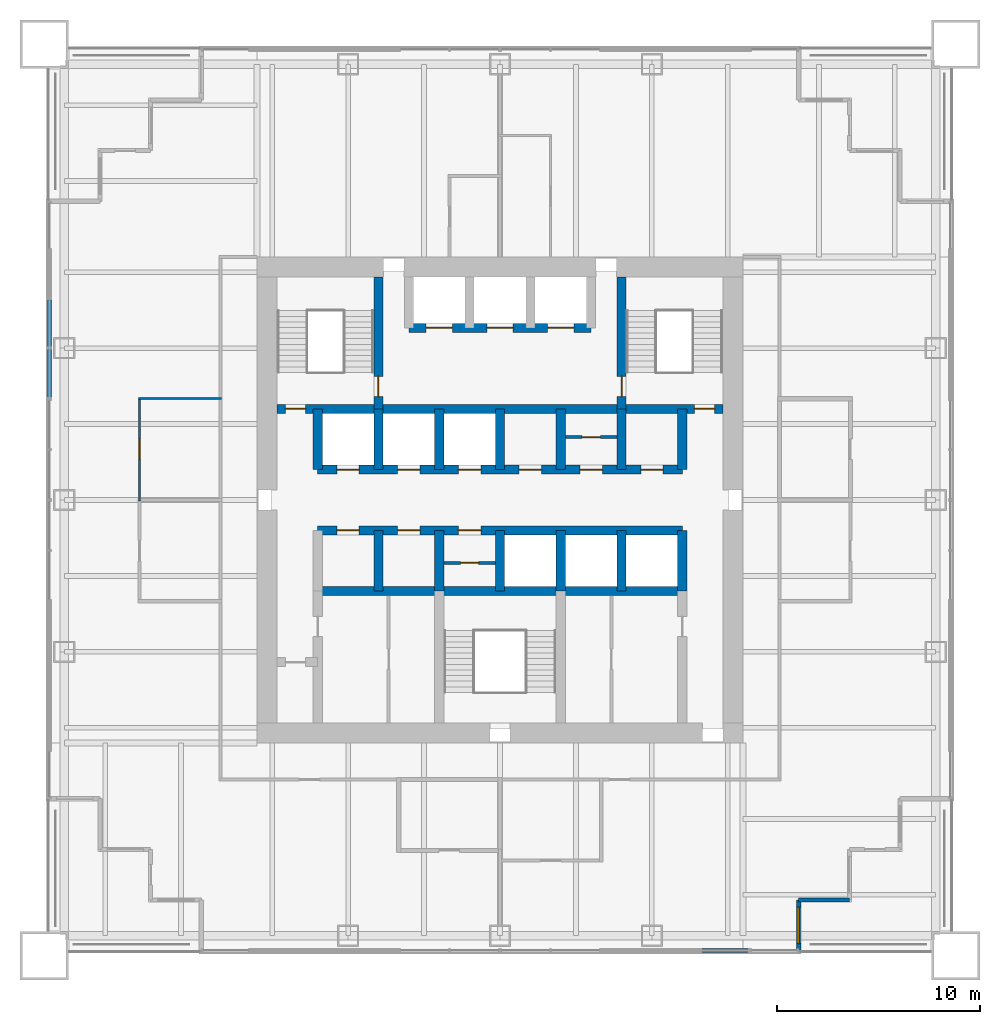
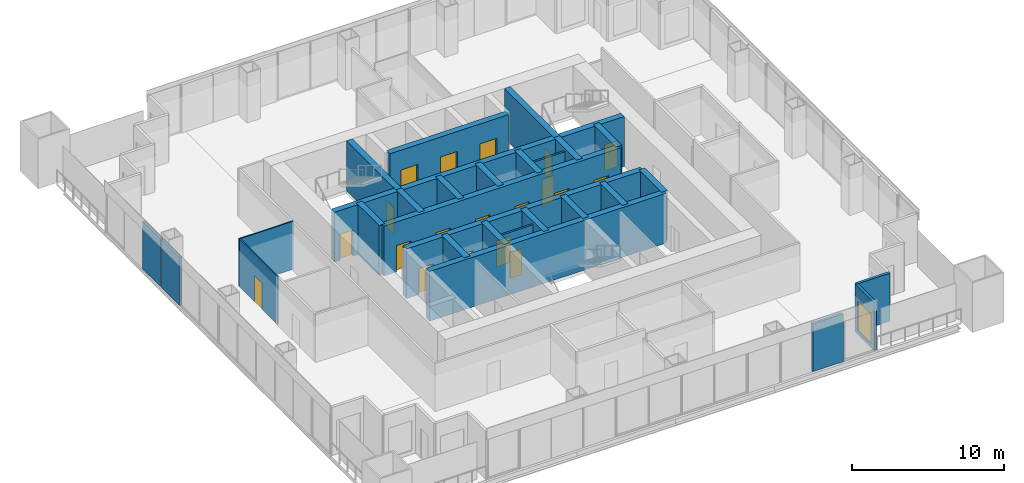
# One storey, part 9 of 13: 29 walls, 19 doors, 1 window, 20 openings.
"""IFC4 building model written with IfcOpenShell, lengths in metres."""

from ifc_helpers import new_model, si_unit, direction, frame, frame_2d, origin, place, context, subcontext, project, spatial, rectangle, extrude, material, layer, layer_set, type_object, element, fill, save


model = new_model("IFC4")

# Units and contexts
model_context = context("Model", 3, precision=1e-05, world=origin(), true_north=direction((0.0, 1.0)))
body_context = subcontext(model_context, "Body", "Model", "MODEL_VIEW")
ifc_project = project(units=[si_unit("LENGTHUNIT", "METRE"), si_unit("AREAUNIT", "SQUARE_METRE"), si_unit("VOLUMEUNIT", "CUBIC_METRE"), si_unit("PLANEANGLEUNIT", "RADIAN"), si_unit("MASSUNIT", "GRAM", prefix="KILO")], contexts=[model_context])

# Site, building, storey
site_placement = place(None, origin())
site = spatial("IfcSite", under=ifc_project, at=site_placement, CompositionType="ELEMENT")
building_placement = place(site_placement, origin())
building = spatial("IfcBuilding", under=site, at=building_placement, Name="Tarangal Relay Tower", CompositionType="ELEMENT")
storey_placement = place(building_placement, frame((0.0, 0.0, 225.89990234375)))
storey = spatial("IfcBuildingStorey", under=building, at=storey_placement, Name="L48", CompositionType="ELEMENT", Elevation=225.89990234375)

# Wall, openings, doors
ifc_material_1 = material(Name="Concrete fc' 60 MPa", Category="concrete")
ifc_layer_1 = layer(ifc_material_1, 0.449951171875)
ifc_layer_set_1 = layer_set([ifc_layer_1], Name="Core inner wall 450")
wall_type_1 = type_object("IfcWallType", Name="Core inner wall 450", PredefinedType="SHEAR", material=ifc_layer_set_1)
wall_1_placement = place(storey_placement, frame((-11.0, 4.5, 0.0), z_axis=(0.0, 0.0, 1.0), x_axis=(1.0, 0.0, 0.0)))
wall_1 = element("IfcWall", 1, at=wall_1_placement, inside=storey, type_object=wall_type_1, Name="Core wall Y45 L48", PredefinedType="SHEAR", context=body_context, shape_type="SweptSolid", body=[
    extrude(rectangle(XDim=22.0, YDim=0.449951171875, at=frame_2d((11.0, 0.0))), origin(), (0.0, 0.0, 1.0), 4.0),
])
opening_1_placement = place(wall_1_placement, frame((0.39990234375, 0.0, 0.0)))
opening_1 = element("IfcOpeningElement", 2, at=opening_1_placement, cuts=wall_1, Name="Opening FD1", PredefinedType="OPENING", context=body_context, shape_type="SweptSolid", body=[
    extrude(rectangle(XDim=1.0, YDim=2.10009765625, at=frame_2d((0.5, 1.050048828125))), frame((0.0, 0.23486328125, 0.0), z_axis=(0.0, -1.0, 0.0), x_axis=(1.0, 0.0, 0.0)), (0.0, 0.0, 1.0), 0.469970703125),
])
opening_2_placement = place(wall_1_placement, frame((20.60009765625, 0.0, 0.0)))
opening_2 = element("IfcOpeningElement", 3, at=opening_2_placement, cuts=wall_1, Name="Opening FD1", PredefinedType="OPENING", context=body_context, shape_type="SweptSolid", body=[
    extrude(rectangle(XDim=1.0, YDim=2.10009765625, at=frame_2d((0.5, 1.050048828125))), frame((0.0, 0.23486328125, 0.0), z_axis=(0.0, -1.0, 0.0), x_axis=(1.0, 0.0, 0.0)), (0.0, 0.0, 1.0), 0.469970703125),
])
ifc_material_2 = material(Name="Steel door with hardwood frame", Category="steel")
door_type_1 = type_object("IfcDoorType", Name="Fire door 1000 x 2100", OperationType="SINGLE_SWING_LEFT", PredefinedType="DOOR", material=ifc_material_2)
door_1_placement = place(opening_1_placement, origin())
door_1 = element("IfcDoor", 4, at=door_1_placement, inside=storey, type_object=door_type_1, Name="Stair ST-A door from corridor L48", OperationType="SINGLE_SWING_LEFT", OverallHeight=2.10009765625, OverallWidth=1.0, PredefinedType="DOOR", context=body_context, shape_type="SweptSolid", body=[
    extrude(rectangle(XDim=1.0, YDim=2.10009765625, at=frame_2d((0.5, 1.050048828125))), frame((0.0, 0.02490234375, 0.0), z_axis=(0.0, -1.0, 0.0), x_axis=(1.0, 0.0, 0.0)), (0.0, 0.0, 1.0), 0.050048828125),
])
fill(opening_1, door_1)
door_2_placement = place(opening_2_placement, origin())
door_2 = element("IfcDoor", 5, at=door_2_placement, inside=storey, type_object=door_type_1, Name="Stair ST-B door from corridor L48", OperationType="SINGLE_SWING_LEFT", OverallHeight=2.10009765625, OverallWidth=1.0, PredefinedType="DOOR", context=body_context, shape_type="SweptSolid", body=[
    extrude(rectangle(XDim=1.0, YDim=2.10009765625, at=frame_2d((0.5, 1.050048828125))), frame((0.0, 0.02490234375, 0.0), z_axis=(0.0, -1.0, 0.0), x_axis=(1.0, 0.0, 0.0)), (0.0, 0.0, 1.0), 0.050048828125),
])
fill(opening_2, door_2)

wall_2_placement = place(storey_placement, frame((-9.0, 1.5, 0.0), z_axis=(0.0, 0.0, 1.0), x_axis=(1.0, 0.0, 0.0)))
wall_2 = element("IfcWall", 6, at=wall_2_placement, inside=storey, type_object=wall_type_1, Name="Core wall Y15 L48", PredefinedType="SHEAR", context=body_context, shape_type="SweptSolid", body=[
    extrude(rectangle(XDim=18.0, YDim=0.449951171875, at=frame_2d((9.0, 0.0))), origin(), (0.0, 0.0, 1.0), 4.0),
])
opening_3_placement = place(wall_2_placement, frame((0.949951171875, 0.0, 0.0)))
opening_3 = element("IfcOpeningElement", 7, at=opening_3_placement, cuts=wall_2, Name="Opening LD1", PredefinedType="OPENING", context=body_context, shape_type="SweptSolid", body=[
    extrude(rectangle(XDim=1.10009765625, YDim=2.10009765625, at=frame_2d((0.550048828125, 1.050048828125))), frame((0.0, 0.23486328125, 0.0), z_axis=(0.0, -1.0, 0.0), x_axis=(1.0, 0.0, 0.0)), (0.0, 0.0, 1.0), 0.469970703125),
])
opening_4_placement = place(wall_2_placement, frame((3.949951171875, 0.0, 0.0)))
opening_4 = element("IfcOpeningElement", 8, at=opening_4_placement, cuts=wall_2, Name="Opening LD1", PredefinedType="OPENING", context=body_context, shape_type="SweptSolid", body=[
    extrude(rectangle(XDim=1.10009765625, YDim=2.10009765625, at=frame_2d((0.550048828125, 1.050048828125))), frame((0.0, 0.23486328125, 0.0), z_axis=(0.0, -1.0, 0.0), x_axis=(1.0, 0.0, 0.0)), (0.0, 0.0, 1.0), 0.469970703125),
])
opening_5_placement = place(wall_2_placement, frame((6.949951171875, 0.0, 0.0)))
opening_5 = element("IfcOpeningElement", 9, at=opening_5_placement, cuts=wall_2, Name="Opening LD1", PredefinedType="OPENING", context=body_context, shape_type="SweptSolid", body=[
    extrude(rectangle(XDim=1.10009765625, YDim=2.10009765625, at=frame_2d((0.550048828125, 1.050048828125))), frame((0.0, 0.23486328125, 0.0), z_axis=(0.0, -1.0, 0.0), x_axis=(1.0, 0.0, 0.0)), (0.0, 0.0, 1.0), 0.469970703125),
])
opening_6_placement = place(wall_2_placement, frame((9.949951171875, 0.0, 0.0)))
opening_6 = element("IfcOpeningElement", 10, at=opening_6_placement, cuts=wall_2, Name="Opening D4", PredefinedType="OPENING", context=body_context, shape_type="SweptSolid", body=[
    extrude(rectangle(XDim=1.10009765625, YDim=2.10009765625, at=frame_2d((0.550048828125, 1.050048828125))), frame((0.0, 0.23486328125, 0.0), z_axis=(0.0, -1.0, 0.0), x_axis=(1.0, 0.0, 0.0)), (0.0, 0.0, 1.0), 0.469970703125),
])
opening_7_placement = place(wall_2_placement, frame((12.949951171875, 0.0, 0.0)))
opening_7 = element("IfcOpeningElement", 11, at=opening_7_placement, cuts=wall_2, Name="Opening D4", PredefinedType="OPENING", context=body_context, shape_type="SweptSolid", body=[
    extrude(rectangle(XDim=1.10009765625, YDim=2.10009765625, at=frame_2d((0.550048828125, 1.050048828125))), frame((0.0, 0.23486328125, 0.0), z_axis=(0.0, -1.0, 0.0), x_axis=(1.0, 0.0, 0.0)), (0.0, 0.0, 1.0), 0.469970703125),
])
opening_8_placement = place(wall_2_placement, frame((15.949951171875, 0.0, 0.0)))
opening_8 = element("IfcOpeningElement", 12, at=opening_8_placement, cuts=wall_2, Name="Opening D4", PredefinedType="OPENING", context=body_context, shape_type="SweptSolid", body=[
    extrude(rectangle(XDim=1.10009765625, YDim=2.10009765625, at=frame_2d((0.550048828125, 1.050048828125))), frame((0.0, 0.23486328125, 0.0), z_axis=(0.0, -1.0, 0.0), x_axis=(1.0, 0.0, 0.0)), (0.0, 0.0, 1.0), 0.469970703125),
])
door_type_2 = type_object("IfcDoorType", Name="Core room door 1100 x 2100", OperationType="SINGLE_SWING_RIGHT", PredefinedType="DOOR", material=ifc_material_2)
door_3_placement = place(opening_6_placement, origin())
door_3 = element("IfcDoor", 13, at=door_3_placement, inside=storey, type_object=door_type_2, Name="Door D4 to staff wc L48-T1", OperationType="SINGLE_SWING_RIGHT", OverallHeight=2.10009765625, OverallWidth=1.10009765625, PredefinedType="DOOR", context=body_context, shape_type="SweptSolid", body=[
    extrude(rectangle(XDim=1.10009765625, YDim=2.10009765625, at=frame_2d((0.550048828125, 1.050048828125))), frame((0.0, 0.02490234375, 0.0), z_axis=(0.0, -1.0, 0.0), x_axis=(1.0, 0.0, 0.0)), (0.0, 0.0, 1.0), 0.050048828125),
])
fill(opening_6, door_3)
door_4_placement = place(opening_7_placement, origin())
door_4 = element("IfcDoor", 14, at=door_4_placement, inside=storey, type_object=door_type_2, Name="Door D4 to staff pantry L48-T2", OperationType="SINGLE_SWING_RIGHT", OverallHeight=2.10009765625, OverallWidth=1.10009765625, PredefinedType="DOOR", context=body_context, shape_type="SweptSolid", body=[
    extrude(rectangle(XDim=1.10009765625, YDim=2.10009765625, at=frame_2d((0.550048828125, 1.050048828125))), frame((0.0, 0.02490234375, 0.0), z_axis=(0.0, -1.0, 0.0), x_axis=(1.0, 0.0, 0.0)), (0.0, 0.0, 1.0), 0.050048828125),
])
fill(opening_7, door_4)
door_5_placement = place(opening_8_placement, origin())
door_5 = element("IfcDoor", 15, at=door_5_placement, inside=storey, type_object=door_type_2, Name="Door D4 to it room L48-T3", OperationType="SINGLE_SWING_RIGHT", OverallHeight=2.10009765625, OverallWidth=1.10009765625, PredefinedType="DOOR", context=body_context, shape_type="SweptSolid", body=[
    extrude(rectangle(XDim=1.10009765625, YDim=2.10009765625, at=frame_2d((0.550048828125, 1.050048828125))), frame((0.0, 0.02490234375, 0.0), z_axis=(0.0, -1.0, 0.0), x_axis=(1.0, 0.0, 0.0)), (0.0, 0.0, 1.0), 0.050048828125),
])
fill(opening_8, door_5)
door_type_3 = type_object("IfcDoorType", Name="Lift landing door 1100 x 2100", OperationType="SLIDING_TO_LEFT", PredefinedType="DOOR", material=ifc_material_2)
door_6_placement = place(opening_3_placement, origin())
door_6 = element("IfcDoor", 16, at=door_6_placement, inside=storey, type_object=door_type_3, Name="Lift OL1 landing door L48", OperationType="SLIDING_TO_LEFT", OverallHeight=2.10009765625, OverallWidth=1.10009765625, PredefinedType="DOOR", context=body_context, shape_type="SweptSolid", body=[
    extrude(rectangle(XDim=1.10009765625, YDim=2.10009765625, at=frame_2d((0.550048828125, 1.050048828125))), frame((0.0, 0.02490234375, 0.0), z_axis=(0.0, -1.0, 0.0), x_axis=(1.0, 0.0, 0.0)), (0.0, 0.0, 1.0), 0.050048828125),
])
fill(opening_3, door_6)
door_7_placement = place(opening_4_placement, origin())
door_7 = element("IfcDoor", 17, at=door_7_placement, inside=storey, type_object=door_type_3, Name="Lift OL2 landing door L48", OperationType="SLIDING_TO_LEFT", OverallHeight=2.10009765625, OverallWidth=1.10009765625, PredefinedType="DOOR", context=body_context, shape_type="SweptSolid", body=[
    extrude(rectangle(XDim=1.10009765625, YDim=2.10009765625, at=frame_2d((0.550048828125, 1.050048828125))), frame((0.0, 0.02490234375, 0.0), z_axis=(0.0, -1.0, 0.0), x_axis=(1.0, 0.0, 0.0)), (0.0, 0.0, 1.0), 0.050048828125),
])
fill(opening_4, door_7)
door_8_placement = place(opening_5_placement, origin())
door_8 = element("IfcDoor", 18, at=door_8_placement, inside=storey, type_object=door_type_3, Name="Lift OL3 landing door L48", OperationType="SLIDING_TO_LEFT", OverallHeight=2.10009765625, OverallWidth=1.10009765625, PredefinedType="DOOR", context=body_context, shape_type="SweptSolid", body=[
    extrude(rectangle(XDim=1.10009765625, YDim=2.10009765625, at=frame_2d((0.550048828125, 1.050048828125))), frame((0.0, 0.02490234375, 0.0), z_axis=(0.0, -1.0, 0.0), x_axis=(1.0, 0.0, 0.0)), (0.0, 0.0, 1.0), 0.050048828125),
])
fill(opening_5, door_8)

wall_3_placement = place(storey_placement, frame((-9.0, -1.5, 0.0), z_axis=(0.0, 0.0, 1.0), x_axis=(1.0, 0.0, 0.0)))
wall_3 = element("IfcWall", 19, at=wall_3_placement, inside=storey, type_object=wall_type_1, Name="Core wall YM15 L48", PredefinedType="SHEAR", context=body_context, shape_type="SweptSolid", body=[
    extrude(rectangle(XDim=18.0, YDim=0.449951171875, at=frame_2d((9.0, 0.0))), origin(), (0.0, 0.0, 1.0), 4.0),
])
opening_9_placement = place(wall_3_placement, frame((0.949951171875, 0.0, 0.0)))
opening_9 = element("IfcOpeningElement", 20, at=opening_9_placement, cuts=wall_3, Name="Opening D4", PredefinedType="OPENING", context=body_context, shape_type="SweptSolid", body=[
    extrude(rectangle(XDim=1.10009765625, YDim=2.10009765625, at=frame_2d((0.550048828125, 1.050048828125))), frame((0.0, 0.23486328125, 0.0), z_axis=(0.0, -1.0, 0.0), x_axis=(1.0, 0.0, 0.0)), (0.0, 0.0, 1.0), 0.469970703125),
])
opening_10_placement = place(wall_3_placement, frame((3.949951171875, 0.0, 0.0)))
opening_10 = element("IfcOpeningElement", 21, at=opening_10_placement, cuts=wall_3, Name="Opening D4", PredefinedType="OPENING", context=body_context, shape_type="SweptSolid", body=[
    extrude(rectangle(XDim=1.10009765625, YDim=2.10009765625, at=frame_2d((0.550048828125, 1.050048828125))), frame((0.0, 0.23486328125, 0.0), z_axis=(0.0, -1.0, 0.0), x_axis=(1.0, 0.0, 0.0)), (0.0, 0.0, 1.0), 0.469970703125),
])
opening_11_placement = place(wall_3_placement, frame((6.949951171875, 0.0, 0.0)))
opening_11 = element("IfcOpeningElement", 22, at=opening_11_placement, cuts=wall_3, Name="Opening D4", PredefinedType="OPENING", context=body_context, shape_type="SweptSolid", body=[
    extrude(rectangle(XDim=1.10009765625, YDim=2.10009765625, at=frame_2d((0.550048828125, 1.050048828125))), frame((0.0, 0.23486328125, 0.0), z_axis=(0.0, -1.0, 0.0), x_axis=(1.0, 0.0, 0.0)), (0.0, 0.0, 1.0), 0.469970703125),
])
door_9_placement = place(opening_9_placement, origin())
door_9 = element("IfcDoor", 23, at=door_9_placement, inside=storey, type_object=door_type_2, Name="Door D4 to cleaner's store L48-S1", OperationType="SINGLE_SWING_RIGHT", OverallHeight=2.10009765625, OverallWidth=1.10009765625, PredefinedType="DOOR", context=body_context, shape_type="SweptSolid", body=[
    extrude(rectangle(XDim=1.10009765625, YDim=2.10009765625, at=frame_2d((0.550048828125, 1.050048828125))), frame((0.0, 0.02490234375, 0.0), z_axis=(0.0, -1.0, 0.0), x_axis=(1.0, 0.0, 0.0)), (0.0, 0.0, 1.0), 0.050048828125),
])
fill(opening_9, door_9)
door_10_placement = place(opening_10_placement, origin())
door_10 = element("IfcDoor", 24, at=door_10_placement, inside=storey, type_object=door_type_2, Name="Door D4 to staff wc L48-S2", OperationType="SINGLE_SWING_RIGHT", OverallHeight=2.10009765625, OverallWidth=1.10009765625, PredefinedType="DOOR", context=body_context, shape_type="SweptSolid", body=[
    extrude(rectangle(XDim=1.10009765625, YDim=2.10009765625, at=frame_2d((0.550048828125, 1.050048828125))), frame((0.0, 0.02490234375, 0.0), z_axis=(0.0, -1.0, 0.0), x_axis=(1.0, 0.0, 0.0)), (0.0, 0.0, 1.0), 0.050048828125),
])
fill(opening_10, door_10)
door_11_placement = place(opening_11_placement, origin())
door_11 = element("IfcDoor", 25, at=door_11_placement, inside=storey, type_object=door_type_2, Name="Door D4 to staff pantry L48-S3", OperationType="SINGLE_SWING_RIGHT", OverallHeight=2.10009765625, OverallWidth=1.10009765625, PredefinedType="DOOR", context=body_context, shape_type="SweptSolid", body=[
    extrude(rectangle(XDim=1.10009765625, YDim=2.10009765625, at=frame_2d((0.550048828125, 1.050048828125))), frame((0.0, 0.02490234375, 0.0), z_axis=(0.0, -1.0, 0.0), x_axis=(1.0, 0.0, 0.0)), (0.0, 0.0, 1.0), 0.050048828125),
])
fill(opening_11, door_11)

# Wall
wall_4_placement = place(storey_placement, frame((-9.0, -4.5, 0.0), z_axis=(0.0, 0.0, 1.0), x_axis=(1.0, 0.0, 0.0)))
element("IfcWall", 26, at=wall_4_placement, inside=storey, type_object=wall_type_1, Name="Core wall YM45 L48", PredefinedType="SHEAR", context=body_context, shape_type="SweptSolid", body=[
    extrude(rectangle(XDim=18.0, YDim=0.449951171875, at=frame_2d((9.0, 0.0))), origin(), (0.0, 0.0, 1.0), 4.0),
])

# Wall, openings, doors
wall_5_placement = place(storey_placement, frame((-4.5, 8.5, 0.0), z_axis=(0.0, 0.0, 1.0), x_axis=(1.0, 0.0, 0.0)))
wall_5 = element("IfcWall", 27, at=wall_5_placement, inside=storey, type_object=wall_type_1, Name="Core wall Y85 L48", PredefinedType="SHEAR", context=body_context, shape_type="SweptSolid", body=[
    extrude(rectangle(XDim=9.0, YDim=0.449951171875, at=frame_2d((4.5, 0.0))), origin(), (0.0, 0.0, 1.0), 4.0),
])
opening_12_placement = place(wall_5_placement, frame((0.85009765625, 0.0, 0.0)))
opening_12 = element("IfcOpeningElement", 28, at=opening_12_placement, cuts=wall_5, Name="Opening LD2", PredefinedType="OPENING", context=body_context, shape_type="SweptSolid", body=[
    extrude(rectangle(XDim=1.300048828125, YDim=2.39990234375, at=frame_2d((0.64990234375, 1.199951171875))), frame((0.0, 0.23486328125, 0.0), z_axis=(0.0, -1.0, 0.0), x_axis=(1.0, 0.0, 0.0)), (0.0, 0.0, 1.0), 0.469970703125),
])
opening_13_placement = place(wall_5_placement, frame((6.85009765625, 0.0, 0.0)))
opening_13 = element("IfcOpeningElement", 29, at=opening_13_placement, cuts=wall_5, Name="Opening LD2", PredefinedType="OPENING", context=body_context, shape_type="SweptSolid", body=[
    extrude(rectangle(XDim=1.300048828125, YDim=2.39990234375, at=frame_2d((0.64990234375, 1.199951171875))), frame((0.0, 0.23486328125, 0.0), z_axis=(0.0, -1.0, 0.0), x_axis=(1.0, 0.0, 0.0)), (0.0, 0.0, 1.0), 0.469970703125),
])
opening_14_placement = place(wall_5_placement, frame((3.85009765625, 0.0, 0.0)))
opening_14 = element("IfcOpeningElement", 30, at=opening_14_placement, cuts=wall_5, Name="Opening LD2", PredefinedType="OPENING", context=body_context, shape_type="SweptSolid", body=[
    extrude(rectangle(XDim=1.300048828125, YDim=2.39990234375, at=frame_2d((0.64990234375, 1.199951171875))), frame((0.0, 0.23486328125, 0.0), z_axis=(0.0, -1.0, 0.0), x_axis=(1.0, 0.0, 0.0)), (0.0, 0.0, 1.0), 0.469970703125),
])
door_type_4 = type_object("IfcDoorType", Name="Lift landing door 1300 x 2400", OperationType="SLIDING_TO_LEFT", PredefinedType="DOOR", material=ifc_material_2)
door_12_placement = place(opening_12_placement, origin())
door_12 = element("IfcDoor", 31, at=door_12_placement, inside=storey, type_object=door_type_4, Name="Lift FF1 landing door L48", OperationType="SLIDING_TO_LEFT", OverallHeight=2.39990234375, OverallWidth=1.300048828125, PredefinedType="DOOR", context=body_context, shape_type="SweptSolid", body=[
    extrude(rectangle(XDim=1.300048828125, YDim=2.39990234375, at=frame_2d((0.64990234375, 1.199951171875))), frame((0.0, 0.02490234375, 0.0), z_axis=(0.0, -1.0, 0.0), x_axis=(1.0, 0.0, 0.0)), (0.0, 0.0, 1.0), 0.050048828125),
])
fill(opening_12, door_12)
door_13_placement = place(opening_13_placement, origin())
door_13 = element("IfcDoor", 32, at=door_13_placement, inside=storey, type_object=door_type_4, Name="Lift FF2 landing door L48", OperationType="SLIDING_TO_LEFT", OverallHeight=2.39990234375, OverallWidth=1.300048828125, PredefinedType="DOOR", context=body_context, shape_type="SweptSolid", body=[
    extrude(rectangle(XDim=1.300048828125, YDim=2.39990234375, at=frame_2d((0.64990234375, 1.199951171875))), frame((0.0, 0.02490234375, 0.0), z_axis=(0.0, -1.0, 0.0), x_axis=(1.0, 0.0, 0.0)), (0.0, 0.0, 1.0), 0.050048828125),
])
fill(opening_13, door_13)
door_14_placement = place(opening_14_placement, origin())
door_14 = element("IfcDoor", 33, at=door_14_placement, inside=storey, type_object=door_type_4, Name="Lift SV1 landing door L48", OperationType="SLIDING_TO_LEFT", OverallHeight=2.39990234375, OverallWidth=1.300048828125, PredefinedType="DOOR", context=body_context, shape_type="SweptSolid", body=[
    extrude(rectangle(XDim=1.300048828125, YDim=2.39990234375, at=frame_2d((0.64990234375, 1.199951171875))), frame((0.0, 0.02490234375, 0.0), z_axis=(0.0, -1.0, 0.0), x_axis=(1.0, 0.0, 0.0)), (0.0, 0.0, 1.0), 0.050048828125),
])
fill(opening_14, door_14)

# Walls
for number, where, z_axis, x_axis, name in (
    (34, (-9.0, 1.5, 0.0), (0.0, 0.0, 1.0), (0.0, 1.0, 0.0), "Core wall XM9N L48"),
    (35, (9.0, 1.5, 0.0), (0.0, 0.0, 1.0), (0.0, 1.0, 0.0), "Core wall X9N L48"),
    (36, (9.0, -4.5, 0.0), (0.0, 0.0, 1.0), (0.0, 1.0, 0.0), "Core wall X9S L48"),
    (37, (-6.0, 1.5, 0.0), (0.0, 0.0, 1.0), (0.0, 1.0, 0.0), "Core wall XM6N L48"),
    (38, (-3.0, 1.5, 0.0), (0.0, 0.0, 1.0), (0.0, 1.0, 0.0), "Core wall XM3N L48"),
    (39, (0.0, 1.5, 0.0), (0.0, 0.0, 1.0), (0.0, 1.0, 0.0), "Core wall X0N L48"),
    (40, (3.0, 1.5, 0.0), (0.0, 0.0, 1.0), (0.0, 1.0, 0.0), "Core wall X3N L48"),
    (41, (6.0, 1.5, 0.0), (0.0, 0.0, 1.0), (0.0, 1.0, 0.0), "Core wall X6N L48"),
    (42, (-6.0, -4.5, 0.0), (0.0, 0.0, 1.0), (0.0, 1.0, 0.0), "Core wall XM6S L48"),
    (43, (-3.0, -4.5, 0.0), (0.0, 0.0, 1.0), (0.0, 1.0, 0.0), "Core wall XM3S L48"),
    (44, (0.0, -4.5, 0.0), (0.0, 0.0, 1.0), (0.0, 1.0, 0.0), "Core wall X0S L48"),
    (45, (3.0, -4.5, 0.0), (0.0, 0.0, 1.0), (0.0, 1.0, 0.0), "Core wall X3S L48"),
    (46, (6.0, -4.5, 0.0), (0.0, 0.0, 1.0), (0.0, 1.0, 0.0), "Core wall X6S L48"),
):
    element("IfcWall", number, at=place(storey_placement, frame(where, z_axis=z_axis, x_axis=x_axis)), inside=storey, type_object=wall_type_1, Name=name, PredefinedType="SHEAR", context=body_context, shape_type="SweptSolid", body=[
        extrude(rectangle(XDim=3.0, YDim=0.449951171875, at=frame_2d((1.5, 0.0))), origin(), (0.0, 0.0, 1.0), 4.0),
    ])

# Wall, opening, door
wall_6_placement = place(storey_placement, frame((-6.0, 4.5, 0.0), z_axis=(0.0, 0.0, 1.0), x_axis=(0.0, 1.0, 0.0)))
wall_6 = element("IfcWall", 47, at=wall_6_placement, inside=storey, type_object=wall_type_1, Name="Core wall XM6 L48", PredefinedType="SHEAR", context=body_context, shape_type="SweptSolid", body=[
    extrude(rectangle(XDim=6.5, YDim=0.449951171875, at=frame_2d((3.25, 0.0))), origin(), (0.0, 0.0, 1.0), 4.0),
])
opening_15_placement = place(wall_6_placement, frame((0.60009765625, 0.0, 0.0)))
opening_15 = element("IfcOpeningElement", 48, at=opening_15_placement, cuts=wall_6, Name="Opening FD1", PredefinedType="OPENING", context=body_context, shape_type="SweptSolid", body=[
    extrude(rectangle(XDim=1.0, YDim=2.10009765625, at=frame_2d((0.5, 1.050048828125))), frame((0.0, 0.23486328125, 0.0), z_axis=(0.0, -1.0, 0.0), x_axis=(1.0, 0.0, 0.0)), (0.0, 0.0, 1.0), 0.469970703125),
])
door_15_placement = place(opening_15_placement, origin())
door_15 = element("IfcDoor", 49, at=door_15_placement, inside=storey, type_object=door_type_1, Name="Stair ST-A door from fire-fighting lobby L48", OperationType="SINGLE_SWING_LEFT", OverallHeight=2.10009765625, OverallWidth=1.0, PredefinedType="DOOR", context=body_context, shape_type="SweptSolid", body=[
    extrude(rectangle(XDim=1.0, YDim=2.10009765625, at=frame_2d((0.5, 1.050048828125))), frame((0.0, 0.02490234375, 0.0), z_axis=(0.0, -1.0, 0.0), x_axis=(1.0, 0.0, 0.0)), (0.0, 0.0, 1.0), 0.050048828125),
])
fill(opening_15, door_15)

wall_7_placement = place(storey_placement, frame((6.0, 4.5, 0.0), z_axis=(0.0, 0.0, 1.0), x_axis=(0.0, 1.0, 0.0)))
wall_7 = element("IfcWall", 50, at=wall_7_placement, inside=storey, type_object=wall_type_1, Name="Core wall X6 L48", PredefinedType="SHEAR", context=body_context, shape_type="SweptSolid", body=[
    extrude(rectangle(XDim=6.5, YDim=0.449951171875, at=frame_2d((3.25, 0.0))), origin(), (0.0, 0.0, 1.0), 4.0),
])
opening_16_placement = place(wall_7_placement, frame((0.60009765625, 0.0, 0.0)))
opening_16 = element("IfcOpeningElement", 51, at=opening_16_placement, cuts=wall_7, Name="Opening FD1", PredefinedType="OPENING", context=body_context, shape_type="SweptSolid", body=[
    extrude(rectangle(XDim=1.0, YDim=2.10009765625, at=frame_2d((0.5, 1.050048828125))), frame((0.0, 0.23486328125, 0.0), z_axis=(0.0, -1.0, 0.0), x_axis=(1.0, 0.0, 0.0)), (0.0, 0.0, 1.0), 0.469970703125),
])
door_16_placement = place(opening_16_placement, origin())
door_16 = element("IfcDoor", 52, at=door_16_placement, inside=storey, type_object=door_type_1, Name="Stair ST-B door from fire-fighting lobby L48", OperationType="SINGLE_SWING_LEFT", OverallHeight=2.10009765625, OverallWidth=1.0, PredefinedType="DOOR", context=body_context, shape_type="SweptSolid", body=[
    extrude(rectangle(XDim=1.0, YDim=2.10009765625, at=frame_2d((0.5, 1.050048828125))), frame((0.0, 0.02490234375, 0.0), z_axis=(0.0, -1.0, 0.0), x_axis=(1.0, 0.0, 0.0)), (0.0, 0.0, 1.0), 0.050048828125),
])
fill(opening_16, door_16)

# Wall
ifc_material_3 = material(Name="Black metal clad insulated wall", Category="steel")
ifc_layer_2 = layer(ifc_material_3, 0.199951171875)
ifc_layer_set_2 = layer_set([ifc_layer_2], Name="Corner wall metal clad 200")
wall_type_2 = type_object("IfcWallType", Name="Corner wall metal clad 200", PredefinedType="SOLIDWALL", material=ifc_layer_set_2)
wall_8_placement = place(storey_placement, frame((17.25, -19.75, 0.0), z_axis=(0.0, 0.0, 1.0), x_axis=(-1.0, 0.0, 0.0)))
element("IfcWall", 53, at=wall_8_placement, inside=storey, type_object=wall_type_2, Name="Facade wall E facade L48", PredefinedType="SOLIDWALL", context=body_context, shape_type="SweptSolid", body=[
    extrude(rectangle(XDim=2.5, YDim=0.199951171875, at=frame_2d((1.25, 0.0))), origin(), (0.0, 0.0, 1.0), 3.85009765625),
])

# Wall, opening, window
wall_9_placement = place(storey_placement, frame((14.75, -19.75, 0.0), z_axis=(0.0, 0.0, 1.0), x_axis=(0.0, -1.0, 0.0)))
wall_9 = element("IfcWall", 54, at=wall_9_placement, inside=storey, type_object=wall_type_2, Name="Facade wall E facade L48", PredefinedType="SOLIDWALL", context=body_context, shape_type="SweptSolid", body=[
    extrude(rectangle(XDim=2.5, YDim=0.199951171875, at=frame_2d((1.25, 0.0))), origin(), (0.0, 0.0, 1.0), 3.85009765625),
])
opening_17_placement = place(wall_9_placement, frame((0.35009765625, 0.0, 0.300048828125)))
opening_17 = element("IfcOpeningElement", 55, at=opening_17_placement, cuts=wall_9, Name="Opening WN2", PredefinedType="OPENING", context=body_context, shape_type="SweptSolid", body=[
    extrude(rectangle(XDim=1.800048828125, YDim=2.39990234375, at=frame_2d((0.89990234375, 1.199951171875))), frame((0.0, 0.10986328125, 0.0), z_axis=(0.0, -1.0, 0.0), x_axis=(1.0, 0.0, 0.0)), (0.0, 0.0, 1.0), 0.219970703125),
])
ifc_material_4 = material(Name="Dark tinted double glazing in black aluminium frame", Category="aluminium")
window_type = type_object("IfcWindowType", Name="Corner window 1800 x 2400", PartitioningType="SINGLE_PANEL", PredefinedType="WINDOW", material=ifc_material_4)
window_placement = place(opening_17_placement, origin())
window = element("IfcWindow", 56, at=window_placement, inside=storey, type_object=window_type, Name="Corner window WN2 E facade L48", OverallHeight=2.39990234375, OverallWidth=1.800048828125, PartitioningType="SINGLE_PANEL", PredefinedType="WINDOW", context=body_context, shape_type="SweptSolid", body=[
    extrude(rectangle(XDim=1.800048828125, YDim=2.39990234375, at=frame_2d((0.89990234375, 1.199951171875))), frame((0.0, 0.030029296875, 0.0), z_axis=(0.0, -1.0, 0.0), x_axis=(1.0, 0.0, 0.0)), (0.0, 0.0, 1.0), 0.06005859375),
])
fill(opening_17, window)

# Walls
ifc_layer_3 = layer(ifc_material_3, 0.199951171875)
ifc_layer_set_3 = layer_set([ifc_layer_3], Name="Facade infill wall metal clad 200")
wall_type_3 = type_object("IfcWallType", Name="Facade infill wall metal clad 200", PredefinedType="SOLIDWALL", material=ifc_layer_set_3)
wall_10_placement = place(storey_placement, frame((12.268310546875, -22.25, 0.0), z_axis=(0.0, 0.0, 1.0), x_axis=(-1.0, 0.0, 0.0)))
element("IfcWall", 57, at=wall_10_placement, inside=storey, type_object=wall_type_3, Name="Facade infill wall S facade L48 1.1", PredefinedType="SOLIDWALL", context=body_context, shape_type="SweptSolid", body=[
    extrude(rectangle(XDim=2.319091796875, YDim=0.199951171875, at=frame_2d((1.15966796875, 0.0))), origin(), (0.0, 0.0, 1.0), 3.85009765625),
])
wall_11_placement = place(storey_placement, frame((-22.25, 5.06494140625, 0.0), z_axis=(0.0, 0.0, 1.0), x_axis=(0.0, 1.0, 0.0)))
element("IfcWall", 58, at=wall_11_placement, inside=storey, type_object=wall_type_3, Name="Facade infill wall W facade L48 1.1", PredefinedType="SOLIDWALL", context=body_context, shape_type="SweptSolid", body=[
    extrude(rectangle(XDim=2.3701171875, YDim=0.199951171875, at=frame_2d((1.18505859375, 0.0))), origin(), (0.0, 0.0, 1.0), 3.85009765625),
])
wall_12_placement = place(storey_placement, frame((-22.25, 7.56494140625, 0.0), z_axis=(0.0, 0.0, 1.0), x_axis=(0.0, 1.0, 0.0)))
element("IfcWall", 59, at=wall_12_placement, inside=storey, type_object=wall_type_3, Name="Facade infill wall W facade L48 1.1", PredefinedType="SOLIDWALL", context=body_context, shape_type="SweptSolid", body=[
    extrude(rectangle(XDim=2.319091796875, YDim=0.199951171875, at=frame_2d((1.15966796875, 0.0))), origin(), (0.0, 0.0, 1.0), 3.85009765625),
])
ifc_material_5 = material(Name="Double glazed aluminium framed partition", Category="aluminium")
ifc_layer_4 = layer(ifc_material_5, 0.10009765625)
ifc_layer_set_4 = layer_set([ifc_layer_4], Name="Glazed partition 100")
wall_type_4 = type_object("IfcWallType", Name="Glazed partition 100", PredefinedType="PARTITIONING", material=ifc_layer_set_4)
wall_13_placement = place(storey_placement, frame((-17.85009765625, 5.0, 0.0), z_axis=(0.0, 0.0, 1.0), x_axis=(1.0, 0.0, 0.0)))
element("IfcWall", 60, at=wall_13_placement, inside=storey, type_object=wall_type_4, Name="Partition PT3 L48", PredefinedType="PARTITIONING", context=body_context, shape_type="SweptSolid", body=[
    extrude(rectangle(XDim=4.10009765625, YDim=0.10009765625, at=frame_2d((2.050048828125, 0.0))), origin(), (0.0, 0.0, 1.0), 3.85009765625),
])

# Wall, opening, door
wall_14_placement = place(storey_placement, frame((-17.800048828125, -0.050048828125, 0.0), z_axis=(0.0, 0.0, 1.0), x_axis=(0.0, 1.0, 0.0)))
wall_14 = element("IfcWall", 61, at=wall_14_placement, inside=storey, type_object=wall_type_4, Name="Partition PT3 L48", PredefinedType="PARTITIONING", context=body_context, shape_type="SweptSolid", body=[
    extrude(rectangle(XDim=5.10009765625, YDim=0.10009765625, at=frame_2d((2.550048828125, 0.0))), origin(), (0.0, 0.0, 1.0), 3.85009765625),
])
opening_18_placement = place(wall_14_placement, frame((2.050048828125, 0.0, 0.0)))
opening_18 = element("IfcOpeningElement", 62, at=opening_18_placement, cuts=wall_14, Name="Opening D3", PredefinedType="OPENING", context=body_context, shape_type="SweptSolid", body=[
    extrude(rectangle(XDim=1.0, YDim=2.10009765625, at=frame_2d((0.5, 1.050048828125))), frame((0.0, 0.06005859375, 0.0), z_axis=(0.0, -1.0, 0.0), x_axis=(1.0, 0.0, 0.0)), (0.0, 0.0, 1.0), 0.1201171875),
])
ifc_material_6 = material(Name="Frameless glass door", Category="glass")
door_type_5 = type_object("IfcDoorType", Name="Glazed door 1000 x 2100", OperationType="SINGLE_SWING_LEFT", PredefinedType="DOOR", material=ifc_material_6)
door_17_placement = place(opening_18_placement, origin())
door_17 = element("IfcDoor", 63, at=door_17_placement, inside=storey, type_object=door_type_5, Name="Door D3 to meeting room L48-09", OperationType="SINGLE_SWING_LEFT", OverallHeight=2.10009765625, OverallWidth=1.0, PredefinedType="DOOR", context=body_context, shape_type="SweptSolid", body=[
    extrude(rectangle(XDim=1.0, YDim=2.10009765625, at=frame_2d((0.5, 1.050048828125))), frame((0.0, 0.02490234375, 0.0), z_axis=(0.0, -1.0, 0.0), x_axis=(1.0, 0.0, 0.0)), (0.0, 0.0, 1.0), 0.050048828125),
])
fill(opening_18, door_17)

ifc_material_7 = material(Name="Gypsum board on steel studs", Category="steel")
ifc_layer_5 = layer(ifc_material_7, 0.14990234375)
ifc_layer_set_5 = layer_set([ifc_layer_5], Name="Partition 150")
wall_type_5 = type_object("IfcWallType", Name="Partition 150", PredefinedType="PARTITIONING", material=ifc_layer_set_5)
wall_15_placement = place(storey_placement, frame((3.22509765625, 3.10009765625, 0.0), z_axis=(0.0, 0.0, 1.0), x_axis=(1.0, 0.0, 0.0)))
wall_15 = element("IfcWall", 64, at=wall_15_placement, inside=storey, type_object=wall_type_5, Name="Partition PT1 L48", PredefinedType="PARTITIONING", context=body_context, shape_type="SweptSolid", body=[
    extrude(rectangle(XDim=2.5498046875, YDim=0.14990234375, at=frame_2d((1.27490234375, 0.0))), origin(), (0.0, 0.0, 1.0), 3.75),
])
opening_19_placement = place(wall_15_placement, frame((0.824951171875, 0.0, 0.0)))
opening_19 = element("IfcOpeningElement", 65, at=opening_19_placement, cuts=wall_15, Name="Opening D5", PredefinedType="OPENING", context=body_context, shape_type="SweptSolid", body=[
    extrude(rectangle(XDim=0.89990234375, YDim=2.10009765625, at=frame_2d((0.449951171875, 1.050048828125))), frame((0.0, 0.0849609375, 0.0), z_axis=(0.0, -1.0, 0.0), x_axis=(1.0, 0.0, 0.0)), (0.0, 0.0, 1.0), 0.169921875),
])
ifc_material_8 = material(Name="Hardwood door", Category="wood")
door_type_6 = type_object("IfcDoorType", Name="Cupboard door 900 x 2100", OperationType="SINGLE_SWING_LEFT", PredefinedType="DOOR", material=ifc_material_8)
door_18_placement = place(opening_19_placement, origin())
door_18 = element("IfcDoor", 66, at=door_18_placement, inside=storey, type_object=door_type_6, Name="Door D5 to pantry cupboard L48-T2B", OperationType="SINGLE_SWING_LEFT", OverallHeight=2.10009765625, OverallWidth=0.89990234375, PredefinedType="DOOR", context=body_context, shape_type="SweptSolid", body=[
    extrude(rectangle(XDim=0.89990234375, YDim=2.10009765625, at=frame_2d((0.449951171875, 1.050048828125))), frame((0.0, 0.02490234375, 0.0), z_axis=(0.0, -1.0, 0.0), x_axis=(1.0, 0.0, 0.0)), (0.0, 0.0, 1.0), 0.050048828125),
])
fill(opening_19, door_18)

wall_16_placement = place(storey_placement, frame((-2.77490234375, -3.10009765625, 0.0), z_axis=(0.0, 0.0, 1.0), x_axis=(1.0, 0.0, 0.0)))
wall_16 = element("IfcWall", 67, at=wall_16_placement, inside=storey, type_object=wall_type_5, Name="Partition PT1 L48", PredefinedType="PARTITIONING", context=body_context, shape_type="SweptSolid", body=[
    extrude(rectangle(XDim=2.5498046875, YDim=0.14990234375, at=frame_2d((1.27490234375, 0.0))), origin(), (0.0, 0.0, 1.0), 3.75),
])
opening_20_placement = place(wall_16_placement, frame((0.824951171875, 0.0, 0.0)))
opening_20 = element("IfcOpeningElement", 68, at=opening_20_placement, cuts=wall_16, Name="Opening D5", PredefinedType="OPENING", context=body_context, shape_type="SweptSolid", body=[
    extrude(rectangle(XDim=0.89990234375, YDim=2.10009765625, at=frame_2d((0.449951171875, 1.050048828125))), frame((0.0, 0.0849609375, 0.0), z_axis=(0.0, -1.0, 0.0), x_axis=(1.0, 0.0, 0.0)), (0.0, 0.0, 1.0), 0.169921875),
])
door_19_placement = place(opening_20_placement, origin())
door_19 = element("IfcDoor", 69, at=door_19_placement, inside=storey, type_object=door_type_6, Name="Door D5 to pantry cupboard L48-S3B", OperationType="SINGLE_SWING_LEFT", OverallHeight=2.10009765625, OverallWidth=0.89990234375, PredefinedType="DOOR", context=body_context, shape_type="SweptSolid", body=[
    extrude(rectangle(XDim=0.89990234375, YDim=2.10009765625, at=frame_2d((0.449951171875, 1.050048828125))), frame((0.0, 0.02490234375, 0.0), z_axis=(0.0, -1.0, 0.0), x_axis=(1.0, 0.0, 0.0)), (0.0, 0.0, 1.0), 0.050048828125),
])
fill(opening_20, door_19)

save(model, "model.ifc")
